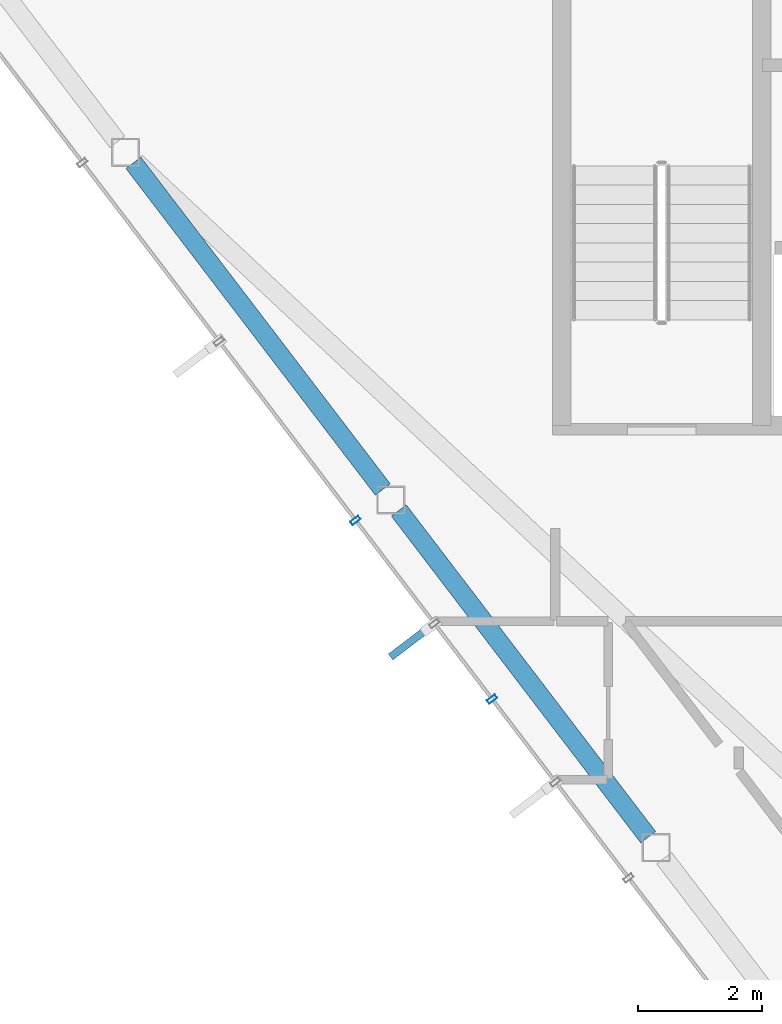
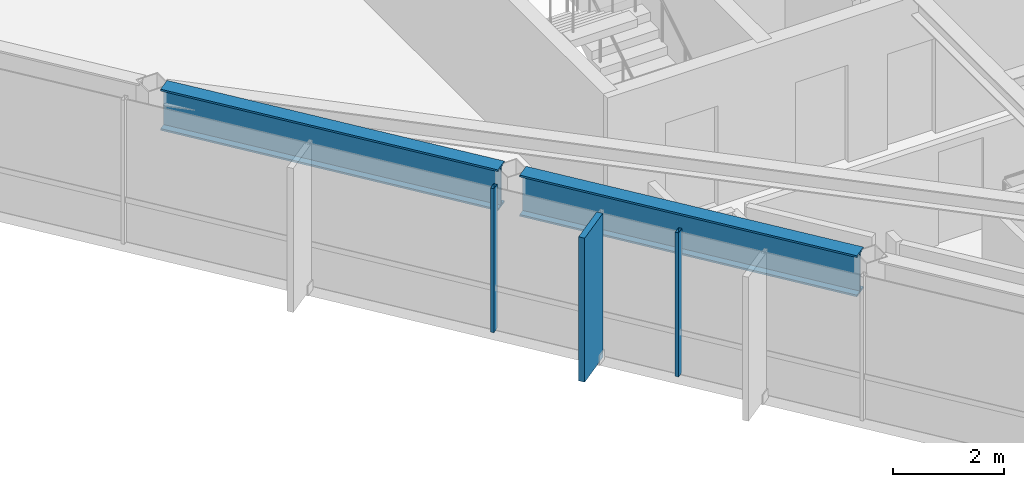
# One storey, part 3 of 22: 3 members, 2 beams, 1 element without a shape of its own.
"""IFC4 building model written with IfcOpenShell, lengths in metres."""

from ifc_helpers import new_model, si_unit, direction, frame, origin, origin_2d, place, context, subcontext, project, spatial, rectangle, hollow_rectangle, i_section, extrude, material, layer, layer_set, material_profile, profile_set, type_object, element, aggregate, save


model = new_model("IFC4")

# Units and contexts
model_context = context("Model", 3, precision=1e-05, world=origin(), true_north=direction((0.0, 1.0)))
body_context = subcontext(model_context, "Body", "Model", "MODEL_VIEW")
ifc_project = project(units=[si_unit("LENGTHUNIT", "METRE"), si_unit("AREAUNIT", "SQUARE_METRE"), si_unit("VOLUMEUNIT", "CUBIC_METRE"), si_unit("PLANEANGLEUNIT", "RADIAN"), si_unit("MASSUNIT", "GRAM", prefix="KILO")], contexts=[model_context])

# Site, building, storey
site_placement = place(None, origin())
site = spatial("IfcSite", under=ifc_project, at=site_placement, CompositionType="ELEMENT")
building_placement = place(site_placement, origin())
building = spatial("IfcBuilding", under=site, at=building_placement, Name="Zarrinselat Tower", CompositionType="ELEMENT")
storey_placement = place(building_placement, frame((0.0, 0.0, 292.39990234375)))
storey = spatial("IfcBuildingStorey", under=building, at=storey_placement, Name="L75", CompositionType="ELEMENT", Elevation=292.39990234375)

# Beams
ifc_material_1 = material(Name="Steel S460M", Category="steel")
ifc_material_profile_1 = material_profile(ifc_material_1, i_section(OverallWidth=0.302001953125, OverallDepth=0.909912109375, WebThickness=0.02099609375, FlangeThickness=0.0400390625, at=origin_2d()), Name="HEM 900")
ifc_profile_set_1 = profile_set([ifc_material_profile_1], Name="Steel S460M")
beam_type = type_object("IfcBeamType", Name="BM-HEM900", PredefinedType="BEAM", material=ifc_profile_set_1)
for number, where, z_axis, x_axis, name in (
    (1, (21.7607421875, 37.52685546875, 2.72509765625), (0.606819456319, -0.794839699205, 0.0), (0.794839699205, 0.606819456319, 0.0), "L75 Perimeter Spandrel Girder SP07"),
    (2, (26.03125, 31.932861328125, 2.72509765625), (0.606819456319, -0.794839699205, 0.0), (0.794839699205, 0.606819456319, 0.0), "L75 Perimeter Spandrel Girder SP08"),
):
    element("IfcBeam", number, at=place(storey_placement, frame(where, z_axis=z_axis, x_axis=x_axis)), inside=storey, type_object=beam_type, Name=name, PredefinedType="BEAM", context=body_context, shape_type="SweptSolid", body=[
        extrude(i_section(OverallWidth=0.302001953125, OverallDepth=0.909912109375, WebThickness=0.02099609375, FlangeThickness=0.0400390625, at=origin_2d()), origin(), (0.0, 0.0, 1.0), 6.61181640625),
    ])

# Curtain wall, members
ifc_material_2 = material(Name="Extruded Aluminium Alloy EN AW-6063 T6", Category="aluminium")
ifc_layer = layer(ifc_material_2, 0.169921875)
ifc_layer_set = layer_set([ifc_layer], Name="Extruded Aluminium Alloy EN AW-6063 T6")
curtain_wall_type = type_object("IfcCurtainWallType", Name="CWS-RES", PredefinedType="NOTDEFINED", material=ifc_layer_set)
curtain_wall_placement = place(storey_placement, origin())
curtain_wall = element("IfcCurtainWall", 3, at=curtain_wall_placement, inside=storey, type_object=curtain_wall_type, Name="L75 Unitised Curtain Wall CW-L75-E03", PredefinedType="NOTDEFINED")
ifc_material_3 = material(Name="Extruded Aluminium Alloy EN AW-6063 T6", Category="aluminium")
ifc_material_profile_2 = material_profile(ifc_material_3, hollow_rectangle(XDim=0.070068359375, YDim=0.159912109375, WallThickness=0.00390625, at=origin_2d()), Name="RHS 160x70x4")
ifc_profile_set_2 = profile_set([ifc_material_profile_2], Name="Extruded Aluminium Alloy EN AW-6063 T6")
member_type_1 = type_object("IfcMemberType", Name="MEM-CW-MUL2", PredefinedType="MULLION", material=ifc_profile_set_2)
member_1_placement = place(storey_placement, frame((25.33349609375, 31.77587890625, 0.0), z_axis=(0.0, 0.0, 1.0), x_axis=(0.606801746242, -0.794853219631, 0.0)))
member_1 = element("IfcMember", 4, at=member_1_placement, type_object=member_type_1, Name="CW-L75-E03 Mullion 4", PredefinedType="MULLION", context=body_context, shape_type="SweptSolid", body=[
    extrude(hollow_rectangle(XDim=0.070068359375, YDim=0.159912109375, WallThickness=0.00390625, at=origin_2d()), origin(), (0.0, 0.0, 1.0), 3.18017578125),
])
member_2_placement = place(storey_placement, frame((27.530517578125, 28.89794921875, 0.0), z_axis=(0.0, 0.0, 1.0), x_axis=(0.606801746242, -0.794853219631, 0.0)))
member_2 = element("IfcMember", 5, at=member_2_placement, type_object=member_type_1, Name="CW-L75-E03 Mullion 6", PredefinedType="MULLION", context=body_context, shape_type="SweptSolid", body=[
    extrude(hollow_rectangle(XDim=0.070068359375, YDim=0.159912109375, WallThickness=0.00390625, at=origin_2d()), origin(), (0.0, 0.0, 1.0), 3.18017578125),
])
ifc_material_4 = material(Name="Honed Cream Travertine Stone", Category="masonry")
ifc_material_profile_3 = material_profile(ifc_material_4, rectangle(XDim=0.1201171875, YDim=0.85009765625, at=origin_2d()), Name="FIN 850x120")
ifc_profile_set_3 = profile_set([ifc_material_profile_3], Name="Honed Cream Travertine Stone")
member_type_2 = type_object("IfcMemberType", Name="MEM-STONE-FIN", PredefinedType="USERDEFINED", material=ifc_profile_set_3)
member_3_placement = place(storey_placement, frame((26.23681640625, 29.83447265625, 0.0), z_axis=(0.0, 0.0, 1.0), x_axis=(-0.606801746242, 0.794853219631, 0.0)))
member_3 = element("IfcMember", 6, at=member_3_placement, type_object=member_type_2, Name="L75 Stone Shading Fin CW-L75-E03-05", ObjectType="FIN", PredefinedType="USERDEFINED", context=body_context, shape_type="SweptSolid", body=[
    extrude(rectangle(XDim=0.1201171875, YDim=0.85009765625, at=origin_2d()), origin(), (0.0, 0.0, 1.0), 3.18017578125),
])
aggregate(curtain_wall, [member_1, member_3, member_2])

save(model, "model.ifc")
